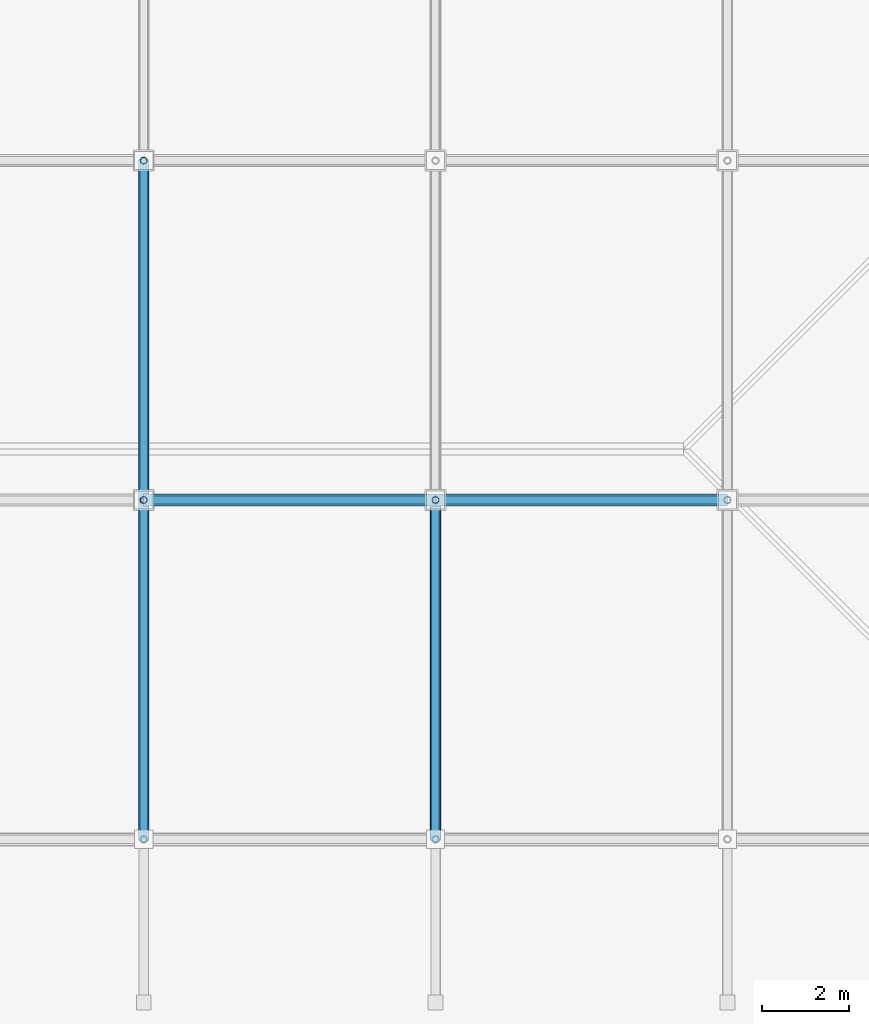
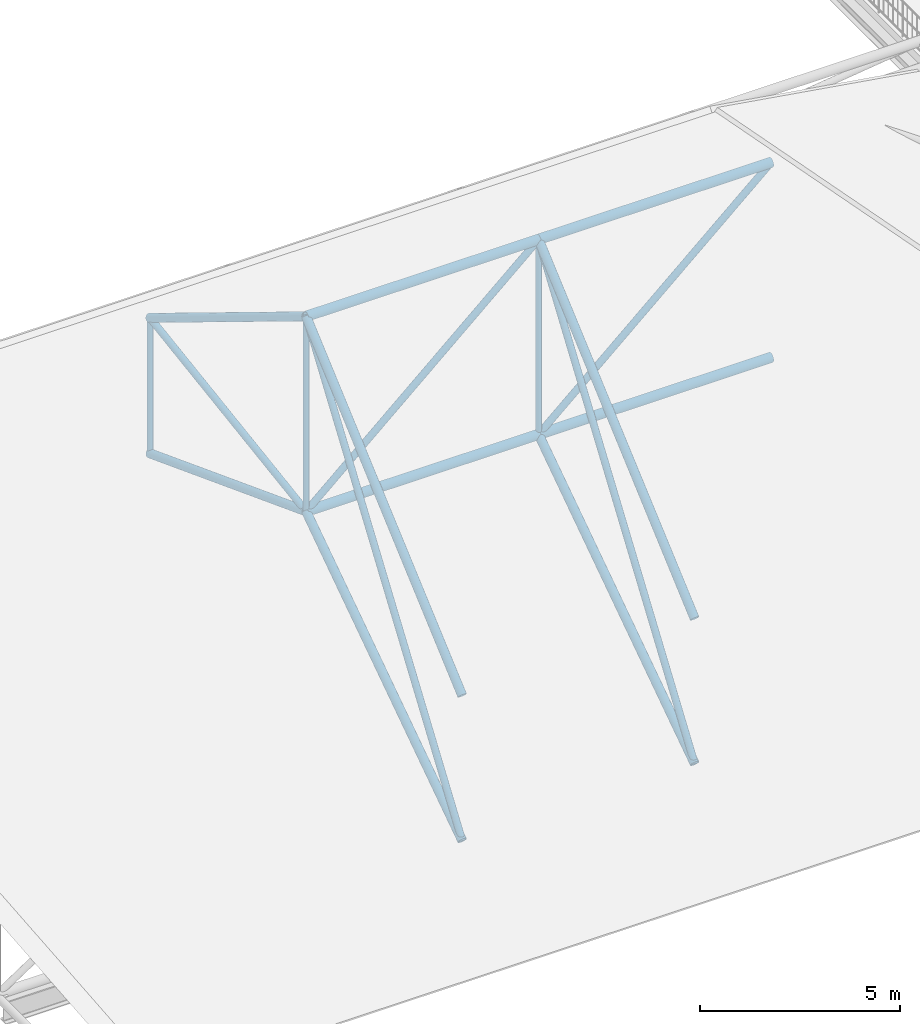
# One storey, part 32 of 77: 18 members.
"""IFC4 building model written with IfcOpenShell, lengths in metres."""

from ifc_helpers import new_model, si_unit, direction, frame, origin, origin_2d, place, context, subcontext, project, spatial, hollow_circle, extrude, material, material_profile, profile_set, type_object, element, save


model = new_model("IFC4")

# Units and contexts
model_context = context("Model", 3, precision=1e-05, world=origin(), true_north=direction((0.0, 1.0)))
body_context = subcontext(model_context, "Body", "Model", "MODEL_VIEW")
ifc_project = project(units=[si_unit("LENGTHUNIT", "METRE"), si_unit("AREAUNIT", "SQUARE_METRE"), si_unit("VOLUMEUNIT", "CUBIC_METRE"), si_unit("PLANEANGLEUNIT", "RADIAN"), si_unit("MASSUNIT", "GRAM", prefix="KILO")], contexts=[model_context])

# Site, building, storey
site_placement = place(None, origin())
site = spatial("IfcSite", under=ifc_project, at=site_placement, CompositionType="ELEMENT")
building_placement = place(site_placement, origin())
building = spatial("IfcBuilding", under=site, at=building_placement, Name="Nabrawat Pavilion Hospital", CompositionType="ELEMENT")
storey_placement = place(building_placement, frame((0.0, 0.0, 14.85009765625)))
storey = spatial("IfcBuildingStorey", under=building, at=storey_placement, Name="L03", CompositionType="ELEMENT", Elevation=14.85009765625)

# Members
ifc_material = material(Name="Steel S355", Category="steel")
ifc_material_profile_1 = material_profile(ifc_material, hollow_circle(Radius=0.136474609375, WallThickness=0.012451171875, at=origin_2d()), Name="CHS 273x12.5")
ifc_profile_set_1 = profile_set([ifc_material_profile_1], Name="Steel S355")
member_type_1 = type_object("IfcMemberType", Name="Space Frame Primary Chord CHS 273x12.5", PredefinedType="CHORD", material=ifc_profile_set_1)
for number, where, z_axis, x_axis, name in (
    (1, (99.16796875, 23.39990234375, 11.2099609375), (1.0, 0.0, 0.0), (0.0, 1.0, 0.0), "Space Frame Chord Top X 0158"),
    (2, (99.16796875, 23.39990234375, 5.260498046875), (1.0, 0.0, 0.0), (0.0, 1.0, 0.0), "Space Frame Chord Bottom X 0159"),
    (3, (105.8759765625, 23.39990234375, 11.2099609375), (1.0, 0.0, 0.0), (0.0, 1.0, 0.0), "Space Frame Chord Top X 0183"),
    (4, (105.8759765625, 23.39990234375, 5.260498046875), (1.0, 0.0, 0.0), (0.0, 1.0, 0.0), "Space Frame Chord Bottom X 0184"),
):
    element("IfcMember", number, at=place(storey_placement, frame(where, z_axis=z_axis, x_axis=x_axis)), inside=storey, type_object=member_type_1, Name=name, PredefinedType="CHORD", context=body_context, shape_type="SweptSolid", body=[
        extrude(hollow_circle(Radius=0.136474609375, WallThickness=0.012451171875, at=origin_2d()), origin(), (0.0, 0.0, 1.0), 6.7080078125),
    ])
ifc_material_profile_2 = material_profile(ifc_material, hollow_circle(Radius=0.096923828125, WallThickness=0.010009765625, at=origin_2d()), Name="CHS 193.7x10")
ifc_profile_set_2 = profile_set([ifc_material_profile_2], Name="Steel S355")
member_type_2 = type_object("IfcMemberType", Name="Space Frame Primary Diagonal CHS 193.7x10", PredefinedType="BRACE", material=ifc_profile_set_2)
member_1_placement = place(storey_placement, frame((99.16796875, 15.60009765625, -0.050048828125), z_axis=(0.0, 0.569427763017, 0.8220413753), x_axis=(-1.0, 0.0, 0.0)))
element("IfcMember", 5, at=member_1_placement, inside=storey, type_object=member_type_2, Name="Space Frame Diagonal Web Y 0157", PredefinedType="BRACE", context=body_context, shape_type="SweptSolid", body=[
    extrude(hollow_circle(Radius=0.096923828125, WallThickness=0.010009765625, at=origin_2d()), origin(), (0.0, 0.0, 1.0), 13.697509765625),
])
member_2_placement = place(storey_placement, frame((99.16796875, 23.39990234375, 5.260498046875), z_axis=(0.748140477109, 0.0, 0.663540372932), x_axis=(0.0, 1.0, 0.0)))
element("IfcMember", 6, at=member_2_placement, inside=storey, type_object=member_type_2, Name="Space Frame Diagonal Web X 0163", PredefinedType="BRACE", context=body_context, shape_type="SweptSolid", body=[
    extrude(hollow_circle(Radius=0.096923828125, WallThickness=0.010009765625, at=origin_2d()), origin(), (0.0, 0.0, 1.0), 8.96630859375),
])
member_3_placement = place(storey_placement, frame((99.16796875, 23.39990234375, 5.260498046875), z_axis=(0.0, 0.988892492278, 0.148632562769), x_axis=(-1.0, 0.0, 0.0)))
element("IfcMember", 7, at=member_3_placement, inside=storey, type_object=member_type_2, Name="Space Frame Diagonal Web Y 0164", PredefinedType="BRACE", context=body_context, shape_type="SweptSolid", body=[
    extrude(hollow_circle(Radius=0.096923828125, WallThickness=0.010009765625, at=origin_2d()), origin(), (0.0, 0.0, 1.0), 7.8876953125),
])
member_4_placement = place(storey_placement, frame((105.8759765625, 15.60009765625, -0.050048828125), z_axis=(0.0, 0.569427763017, 0.8220413753), x_axis=(-1.0, 0.0, 0.0)))
element("IfcMember", 8, at=member_4_placement, inside=storey, type_object=member_type_2, Name="Space Frame Diagonal Web Y 0182", PredefinedType="BRACE", context=body_context, shape_type="SweptSolid", body=[
    extrude(hollow_circle(Radius=0.096923828125, WallThickness=0.010009765625, at=origin_2d()), origin(), (0.0, 0.0, 1.0), 13.697509765625),
])
member_5_placement = place(storey_placement, frame((105.8759765625, 23.39990234375, 5.260498046875), z_axis=(0.748140477109, 0.0, 0.663540372932), x_axis=(0.0, 1.0, 0.0)))
element("IfcMember", 9, at=member_5_placement, inside=storey, type_object=member_type_2, Name="Space Frame Diagonal Web X 0188", PredefinedType="BRACE", context=body_context, shape_type="SweptSolid", body=[
    extrude(hollow_circle(Radius=0.096923828125, WallThickness=0.010009765625, at=origin_2d()), origin(), (0.0, 0.0, 1.0), 8.96630859375),
])
ifc_material_profile_3 = material_profile(ifc_material, hollow_circle(Radius=0.122314453125, WallThickness=0.012451171875, at=origin_2d()), Name="CHS 244.5x12.5")
ifc_profile_set_3 = profile_set([ifc_material_profile_3], Name="Steel S355")
member_type_3 = type_object("IfcMemberType", Name="Space Frame Transverse Chord CHS 244.5x12.5", PredefinedType="CHORD", material=ifc_profile_set_3)
member_6_placement = place(storey_placement, frame((99.16796875, 15.60009765625, 4.373046875), z_axis=(0.0, 0.751998989984, 0.659164258029), x_axis=(-1.0, 0.0, 0.0)))
element("IfcMember", 10, at=member_6_placement, inside=storey, type_object=member_type_3, Name="Space Frame Chord Top Y 0153", PredefinedType="CHORD", context=body_context, shape_type="SweptSolid", body=[
    extrude(hollow_circle(Radius=0.122314453125, WallThickness=0.012451171875, at=origin_2d()), origin(), (0.0, 0.0, 1.0), 10.3720703125),
])
member_7_placement = place(storey_placement, frame((99.16796875, 15.60009765625, -0.050048828125), z_axis=(0.0, 0.826597198855, 0.562793986149), x_axis=(-1.0, 0.0, 0.0)))
element("IfcMember", 11, at=member_7_placement, inside=storey, type_object=member_type_3, Name="Space Frame Chord Bottom Y 0154", PredefinedType="CHORD", context=body_context, shape_type="SweptSolid", body=[
    extrude(hollow_circle(Radius=0.122314453125, WallThickness=0.012451171875, at=origin_2d()), origin(), (0.0, 0.0, 1.0), 9.43603515625),
])
member_8_placement = place(storey_placement, frame((99.16796875, 23.39990234375, 11.2099609375), z_axis=(0.0, 0.852775367849, -0.522277868562), x_axis=(-1.0, 0.0, 0.0)))
element("IfcMember", 12, at=member_8_placement, inside=storey, type_object=member_type_3, Name="Space Frame Chord Top Y 0160", PredefinedType="CHORD", context=body_context, shape_type="SweptSolid", body=[
    extrude(hollow_circle(Radius=0.122314453125, WallThickness=0.012451171875, at=origin_2d()), origin(), (0.0, 0.0, 1.0), 9.146728515625),
])
member_9_placement = place(storey_placement, frame((99.16796875, 23.39990234375, 5.260498046875), z_axis=(0.0, 0.934867308635, -0.354997345406), x_axis=(-1.0, 0.0, 0.0)))
element("IfcMember", 13, at=member_9_placement, inside=storey, type_object=member_type_3, Name="Space Frame Chord Bottom Y 0161", PredefinedType="CHORD", context=body_context, shape_type="SweptSolid", body=[
    extrude(hollow_circle(Radius=0.122314453125, WallThickness=0.012451171875, at=origin_2d()), origin(), (0.0, 0.0, 1.0), 8.343505859375),
])
member_10_placement = place(storey_placement, frame((105.8759765625, 15.60009765625, 4.373046875), z_axis=(0.0, 0.751998989984, 0.659164258029), x_axis=(-1.0, 0.0, 0.0)))
element("IfcMember", 14, at=member_10_placement, inside=storey, type_object=member_type_3, Name="Space Frame Chord Top Y 0178", PredefinedType="CHORD", context=body_context, shape_type="SweptSolid", body=[
    extrude(hollow_circle(Radius=0.122314453125, WallThickness=0.012451171875, at=origin_2d()), origin(), (0.0, 0.0, 1.0), 10.3720703125),
])
member_11_placement = place(storey_placement, frame((105.8759765625, 15.60009765625, -0.050048828125), z_axis=(0.0, 0.826597198855, 0.562793986149), x_axis=(-1.0, 0.0, 0.0)))
element("IfcMember", 15, at=member_11_placement, inside=storey, type_object=member_type_3, Name="Space Frame Chord Bottom Y 0179", PredefinedType="CHORD", context=body_context, shape_type="SweptSolid", body=[
    extrude(hollow_circle(Radius=0.122314453125, WallThickness=0.012451171875, at=origin_2d()), origin(), (0.0, 0.0, 1.0), 9.43603515625),
])
ifc_material_profile_4 = material_profile(ifc_material, hollow_circle(Radius=0.07958984375, WallThickness=0.008056640625, at=origin_2d()), Name="CHS 159x8")
ifc_profile_set_4 = profile_set([ifc_material_profile_4], Name="Steel S355")
member_type_4 = type_object("IfcMemberType", Name="Space Frame Vertical Web Post CHS 159x8", PredefinedType="BRACE", material=ifc_profile_set_4)
member_12_placement = place(storey_placement, frame((99.16796875, 23.39990234375, 5.260498046875), z_axis=(0.0, 0.0, 1.0), x_axis=(1.0, 0.0, 0.0)))
element("IfcMember", 16, at=member_12_placement, inside=storey, type_object=member_type_4, Name="Space Frame Diagonal Post 0162", PredefinedType="BRACE", context=body_context, shape_type="SweptSolid", body=[
    extrude(hollow_circle(Radius=0.07958984375, WallThickness=0.008056640625, at=origin_2d()), origin(), (0.0, 0.0, 1.0), 5.949462890625),
])
member_13_placement = place(storey_placement, frame((99.16796875, 31.199951171875, 2.298583984375), z_axis=(0.0, 0.0, 1.0), x_axis=(1.0, 0.0, 0.0)))
element("IfcMember", 17, at=member_13_placement, inside=storey, type_object=member_type_4, Name="Space Frame Diagonal Post 0169", PredefinedType="BRACE", context=body_context, shape_type="SweptSolid", body=[
    extrude(hollow_circle(Radius=0.07958984375, WallThickness=0.008056640625, at=origin_2d()), origin(), (0.0, 0.0, 1.0), 4.13427734375),
])
member_14_placement = place(storey_placement, frame((105.8759765625, 23.39990234375, 5.260498046875), z_axis=(0.0, 0.0, 1.0), x_axis=(1.0, 0.0, 0.0)))
element("IfcMember", 18, at=member_14_placement, inside=storey, type_object=member_type_4, Name="Space Frame Diagonal Post 0187", PredefinedType="BRACE", context=body_context, shape_type="SweptSolid", body=[
    extrude(hollow_circle(Radius=0.07958984375, WallThickness=0.008056640625, at=origin_2d()), origin(), (0.0, 0.0, 1.0), 5.949462890625),
])

save(model, "model.ifc")
